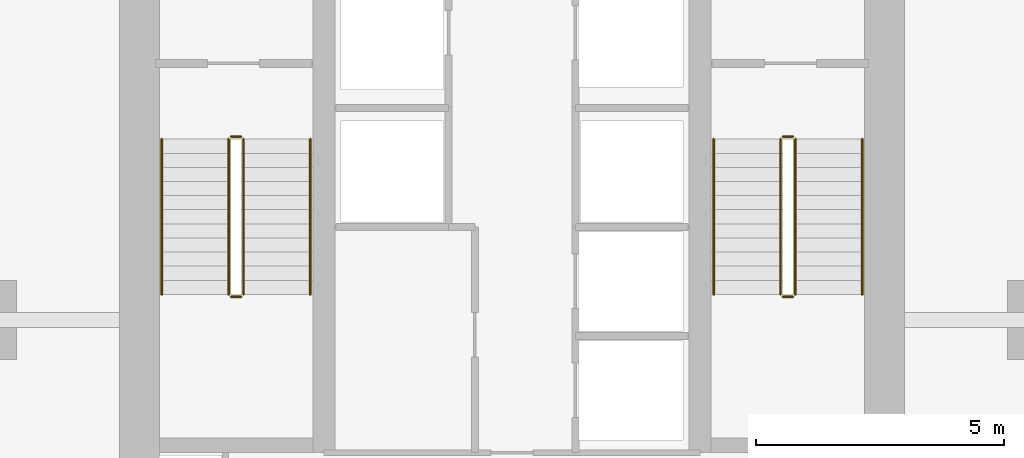
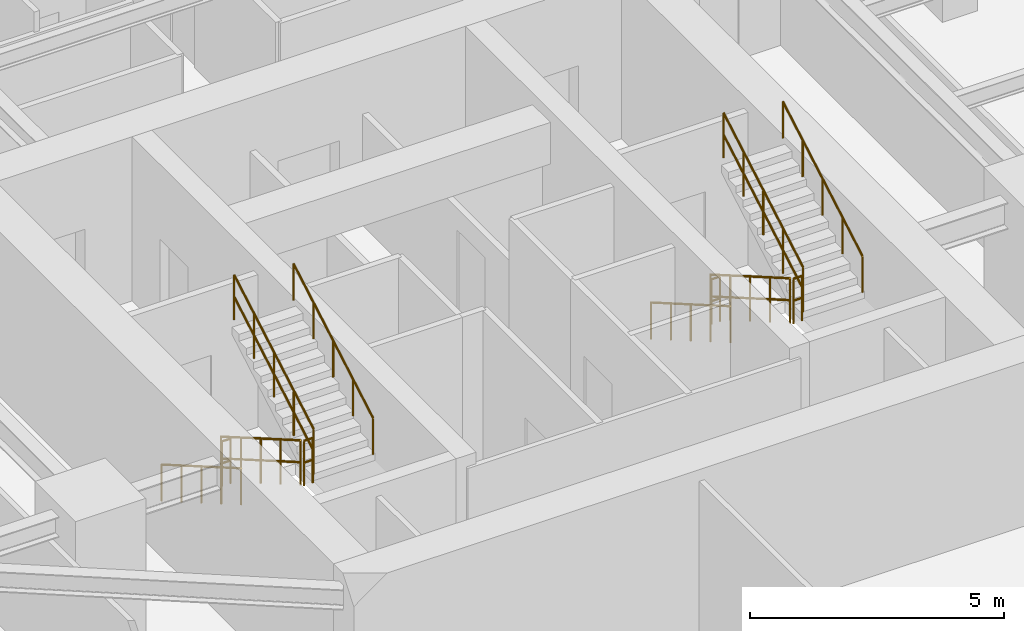
# One storey, part 24 of 25: 12 railings.
"""IFC4 building model written with IfcOpenShell, lengths in metres."""

from ifc_helpers import new_model, si_unit, direction, frame, origin, origin_2d, place, context, subcontext, project, spatial, circle, extrude, material, layer, layer_set, type_object, element, save


model = new_model("IFC4")

# Units and contexts
model_context = context("Model", 3, precision=1e-05, world=origin(), true_north=direction((0.0, 1.0)))
body_context = subcontext(model_context, "Body", "Model", "MODEL_VIEW")
ifc_project = project(units=[si_unit("LENGTHUNIT", "METRE"), si_unit("AREAUNIT", "SQUARE_METRE"), si_unit("VOLUMEUNIT", "CUBIC_METRE"), si_unit("PLANEANGLEUNIT", "RADIAN"), si_unit("MASSUNIT", "GRAM", prefix="KILO")], contexts=[model_context])

# Site, building, storey
site_placement = place(None, origin())
site = spatial("IfcSite", under=ifc_project, at=site_placement, CompositionType="ELEMENT")
building_placement = place(site_placement, origin())
building = spatial("IfcBuilding", under=site, at=building_placement, Name="Krantzveldt Concourse Tower", CompositionType="ELEMENT")
storey_placement = place(building_placement, frame((0.0, 0.0, 215.199951171875)))
storey = spatial("IfcBuildingStorey", under=building, at=storey_placement, Name="L52", CompositionType="ELEMENT", Elevation=215.199951171875)

# Railings
ifc_material = material(Name="Stainless steel 316L", Category="steel")
ifc_layer_1 = layer(ifc_material, 0.06005859375, Name="Stainless steel 316L", Category="steel")
ifc_layer_set_1 = layer_set([ifc_layer_1], Name="Stainless steel 316L (RL-GUARD-1120)")
railing_type_1 = type_object("IfcRailingType", Name="RL-GUARD-1120", PredefinedType="GUARDRAIL", material=ifc_layer_set_1)
railing_1_placement = place(storey_placement, frame((30.280029296875, 19.550048828125, 0.16455078125)))
element("IfcRailing", 1, at=railing_1_placement, inside=storey, type_object=railing_type_1, Name="L52 ST-1 stair guard 1", PredefinedType="GUARDRAIL", context=body_context, shape_type="SweptSolid", body=[
    extrude(circle(Radius=0.02392578125, at=origin_2d()), frame((0.0, 0.0, 1.076171875), z_axis=(0.0, -0.865959834175, 0.500113552702), x_axis=(1.0, 0.0, 0.0)), (0.0, 0.0, 1.0), 3.620361328125),
    extrude(circle(Radius=0.02392578125, at=origin_2d()), frame((0.0, 0.0, 0.550048828125), z_axis=(0.0, -0.865959834175, 0.500113552702), x_axis=(1.0, 0.0, 0.0)), (0.0, 0.0, 1.0), 3.620361328125),
    extrude(circle(Radius=0.02099609375, at=origin_2d()), origin(), (0.0, 0.0, 1.0), 1.052001953125),
    extrude(circle(Radius=0.02099609375, at=origin_2d()), frame((0.0, -0.78369140625, 0.45263671875)), (0.0, 0.0, 1.0), 1.052001953125),
    extrude(circle(Radius=0.02099609375, at=origin_2d()), frame((0.0, -1.5673828125, 0.9052734375)), (0.0, 0.0, 1.0), 1.052001953125),
    extrude(circle(Radius=0.02099609375, at=origin_2d()), frame((0.0, -2.351318359375, 1.35791015625)), (0.0, 0.0, 1.0), 1.052001953125),
    extrude(circle(Radius=0.02099609375, at=origin_2d()), frame((0.0, -3.135009765625, 1.810546875)), (0.0, 0.0, 1.0), 1.052001953125),
])
railing_2_placement = place(storey_placement, frame((30.330078125, 16.364990234375, 1.97509765625)))
element("IfcRailing", 2, at=railing_2_placement, inside=storey, type_object=railing_type_1, Name="L52 ST-1 stair guard 2", PredefinedType="GUARDRAIL", context=body_context, shape_type="SweptSolid", body=[
    extrude(circle(Radius=0.02392578125, at=origin_2d()), frame((0.0, 0.0, 1.076171875), z_axis=(1.0, 0.0, 0.0), x_axis=(0.0, 1.0, 0.0)), (0.0, 0.0, 1.0), 0.199951171875),
    extrude(circle(Radius=0.02392578125, at=origin_2d()), frame((0.0, 0.0, 0.550048828125), z_axis=(1.0, 0.0, 0.0), x_axis=(0.0, 1.0, 0.0)), (0.0, 0.0, 1.0), 0.199951171875),
    extrude(circle(Radius=0.02099609375, at=origin_2d()), origin(), (0.0, 0.0, 1.0), 1.052001953125),
    extrude(circle(Radius=0.02099609375, at=origin_2d()), frame((0.199951171875, 0.0, 0.0)), (0.0, 0.0, 1.0), 1.052001953125),
])
railing_3_placement = place(storey_placement, frame((30.580078125, 16.4150390625, 2.1396484375)))
element("IfcRailing", 3, at=railing_3_placement, inside=storey, type_object=railing_type_1, Name="L52 ST-1 stair guard 3", PredefinedType="GUARDRAIL", context=body_context, shape_type="SweptSolid", body=[
    extrude(circle(Radius=0.02392578125, at=origin_2d()), frame((0.0, 0.0, 1.076171875), z_axis=(0.0, 0.865989039225, 0.500062979975), x_axis=(-1.0, 0.0, 0.0)), (0.0, 0.0, 1.0), 3.6201171875),
    extrude(circle(Radius=0.02392578125, at=origin_2d()), frame((0.0, 0.0, 0.550048828125), z_axis=(0.0, 0.865989039225, 0.500062979975), x_axis=(-1.0, 0.0, 0.0)), (0.0, 0.0, 1.0), 3.6201171875),
    extrude(circle(Radius=0.02099609375, at=origin_2d()), origin(), (0.0, 0.0, 1.0), 1.052001953125),
    extrude(circle(Radius=0.02099609375, at=origin_2d()), frame((0.0, 0.78369140625, 0.45263671875)), (0.0, 0.0, 1.0), 1.052001953125),
    extrude(circle(Radius=0.02099609375, at=origin_2d()), frame((0.0, 1.5673828125, 0.9052734375)), (0.0, 0.0, 1.0), 1.052001953125),
    extrude(circle(Radius=0.02099609375, at=origin_2d()), frame((0.0, 2.351318359375, 1.357666015625)), (0.0, 0.0, 1.0), 1.052001953125),
    extrude(circle(Radius=0.02099609375, at=origin_2d()), frame((0.0, 3.135009765625, 1.810302734375)), (0.0, 0.0, 1.0), 1.052001953125),
])
railing_4_placement = place(storey_placement, frame((30.330078125, 19.60009765625, 0.0)))
element("IfcRailing", 4, at=railing_4_placement, inside=storey, type_object=railing_type_1, Name="L52 ST-1 stair guard 4", PredefinedType="GUARDRAIL", context=body_context, shape_type="SweptSolid", body=[
    extrude(circle(Radius=0.02392578125, at=origin_2d()), frame((0.0, 0.0, 1.076171875), z_axis=(1.0, 0.0, 0.0), x_axis=(0.0, 1.0, 0.0)), (0.0, 0.0, 1.0), 0.199951171875),
    extrude(circle(Radius=0.02392578125, at=origin_2d()), frame((0.0, 0.0, 0.550048828125), z_axis=(1.0, 0.0, 0.0), x_axis=(0.0, 1.0, 0.0)), (0.0, 0.0, 1.0), 0.199951171875),
    extrude(circle(Radius=0.02099609375, at=origin_2d()), origin(), (0.0, 0.0, 1.0), 1.052001953125),
    extrude(circle(Radius=0.02099609375, at=origin_2d()), frame((0.199951171875, 0.0, 0.0)), (0.0, 0.0, 1.0), 1.052001953125),
])
railing_5_placement = place(storey_placement, frame((41.419921875, 19.550048828125, 0.16455078125)))
element("IfcRailing", 5, at=railing_5_placement, inside=storey, type_object=railing_type_1, Name="L52 ST-2 stair guard 1", PredefinedType="GUARDRAIL", context=body_context, shape_type="SweptSolid", body=[
    extrude(circle(Radius=0.02392578125, at=origin_2d()), frame((0.0, 0.0, 1.076171875), z_axis=(0.0, -0.865959834175, 0.500113552702), x_axis=(1.0, 0.0, 0.0)), (0.0, 0.0, 1.0), 3.620361328125),
    extrude(circle(Radius=0.02392578125, at=origin_2d()), frame((0.0, 0.0, 0.550048828125), z_axis=(0.0, -0.865959834175, 0.500113552702), x_axis=(1.0, 0.0, 0.0)), (0.0, 0.0, 1.0), 3.620361328125),
    extrude(circle(Radius=0.02099609375, at=origin_2d()), origin(), (0.0, 0.0, 1.0), 1.052001953125),
    extrude(circle(Radius=0.02099609375, at=origin_2d()), frame((0.0, -0.78369140625, 0.45263671875)), (0.0, 0.0, 1.0), 1.052001953125),
    extrude(circle(Radius=0.02099609375, at=origin_2d()), frame((0.0, -1.5673828125, 0.9052734375)), (0.0, 0.0, 1.0), 1.052001953125),
    extrude(circle(Radius=0.02099609375, at=origin_2d()), frame((0.0, -2.351318359375, 1.35791015625)), (0.0, 0.0, 1.0), 1.052001953125),
    extrude(circle(Radius=0.02099609375, at=origin_2d()), frame((0.0, -3.135009765625, 1.810546875)), (0.0, 0.0, 1.0), 1.052001953125),
])
railing_6_placement = place(storey_placement, frame((41.469970703125, 16.364990234375, 1.97509765625)))
element("IfcRailing", 6, at=railing_6_placement, inside=storey, type_object=railing_type_1, Name="L52 ST-2 stair guard 2", PredefinedType="GUARDRAIL", context=body_context, shape_type="SweptSolid", body=[
    extrude(circle(Radius=0.02392578125, at=origin_2d()), frame((0.0, 0.0, 1.076171875), z_axis=(1.0, 0.0, 0.0), x_axis=(0.0, 1.0, 0.0)), (0.0, 0.0, 1.0), 0.199951171875),
    extrude(circle(Radius=0.02392578125, at=origin_2d()), frame((0.0, 0.0, 0.550048828125), z_axis=(1.0, 0.0, 0.0), x_axis=(0.0, 1.0, 0.0)), (0.0, 0.0, 1.0), 0.199951171875),
    extrude(circle(Radius=0.02099609375, at=origin_2d()), origin(), (0.0, 0.0, 1.0), 1.052001953125),
    extrude(circle(Radius=0.02099609375, at=origin_2d()), frame((0.199951171875, 0.0, 0.0)), (0.0, 0.0, 1.0), 1.052001953125),
])
railing_7_placement = place(storey_placement, frame((41.719970703125, 16.4150390625, 2.1396484375)))
element("IfcRailing", 7, at=railing_7_placement, inside=storey, type_object=railing_type_1, Name="L52 ST-2 stair guard 3", PredefinedType="GUARDRAIL", context=body_context, shape_type="SweptSolid", body=[
    extrude(circle(Radius=0.02392578125, at=origin_2d()), frame((0.0, 0.0, 1.076171875), z_axis=(0.0, 0.865989039225, 0.500062979975), x_axis=(-1.0, 0.0, 0.0)), (0.0, 0.0, 1.0), 3.6201171875),
    extrude(circle(Radius=0.02392578125, at=origin_2d()), frame((0.0, 0.0, 0.550048828125), z_axis=(0.0, 0.865989039225, 0.500062979975), x_axis=(-1.0, 0.0, 0.0)), (0.0, 0.0, 1.0), 3.6201171875),
    extrude(circle(Radius=0.02099609375, at=origin_2d()), origin(), (0.0, 0.0, 1.0), 1.052001953125),
    extrude(circle(Radius=0.02099609375, at=origin_2d()), frame((0.0, 0.78369140625, 0.45263671875)), (0.0, 0.0, 1.0), 1.052001953125),
    extrude(circle(Radius=0.02099609375, at=origin_2d()), frame((0.0, 1.5673828125, 0.9052734375)), (0.0, 0.0, 1.0), 1.052001953125),
    extrude(circle(Radius=0.02099609375, at=origin_2d()), frame((0.0, 2.351318359375, 1.357666015625)), (0.0, 0.0, 1.0), 1.052001953125),
    extrude(circle(Radius=0.02099609375, at=origin_2d()), frame((0.0, 3.135009765625, 1.810302734375)), (0.0, 0.0, 1.0), 1.052001953125),
])
railing_8_placement = place(storey_placement, frame((41.469970703125, 19.60009765625, 0.0)))
element("IfcRailing", 8, at=railing_8_placement, inside=storey, type_object=railing_type_1, Name="L52 ST-2 stair guard 4", PredefinedType="GUARDRAIL", context=body_context, shape_type="SweptSolid", body=[
    extrude(circle(Radius=0.02392578125, at=origin_2d()), frame((0.0, 0.0, 1.076171875), z_axis=(1.0, 0.0, 0.0), x_axis=(0.0, 1.0, 0.0)), (0.0, 0.0, 1.0), 0.199951171875),
    extrude(circle(Radius=0.02392578125, at=origin_2d()), frame((0.0, 0.0, 0.550048828125), z_axis=(1.0, 0.0, 0.0), x_axis=(0.0, 1.0, 0.0)), (0.0, 0.0, 1.0), 0.199951171875),
    extrude(circle(Radius=0.02099609375, at=origin_2d()), origin(), (0.0, 0.0, 1.0), 1.052001953125),
    extrude(circle(Radius=0.02099609375, at=origin_2d()), frame((0.199951171875, 0.0, 0.0)), (0.0, 0.0, 1.0), 1.052001953125),
])
ifc_layer_2 = layer(ifc_material, 0.050048828125, Name="Stainless steel 316L", Category="steel")
ifc_layer_set_2 = layer_set([ifc_layer_2], Name="Stainless steel 316L (RL-HANDRAIL-920)")
railing_type_2 = type_object("IfcRailingType", Name="RL-HANDRAIL-920", PredefinedType="HANDRAIL", material=ifc_layer_set_2)
railing_9_placement = place(storey_placement, frame((28.929931640625, 19.550048828125, 0.16455078125)))
element("IfcRailing", 9, at=railing_9_placement, inside=storey, type_object=railing_type_2, Name="L52 ST-1 stair handrail 1", PredefinedType="HANDRAIL", context=body_context, shape_type="SweptSolid", body=[
    extrude(circle(Radius=0.02392578125, at=origin_2d()), frame((0.0, 0.0, 0.8759765625), z_axis=(0.0, -0.865959834175, 0.500113552702), x_axis=(1.0, 0.0, 0.0)), (0.0, 0.0, 1.0), 3.620361328125),
    extrude(circle(Radius=0.02099609375, at=origin_2d()), origin(), (0.0, 0.0, 1.0), 0.851806640625),
    extrude(circle(Radius=0.02099609375, at=origin_2d()), frame((0.0, -0.78369140625, 0.45263671875)), (0.0, 0.0, 1.0), 0.851806640625),
    extrude(circle(Radius=0.02099609375, at=origin_2d()), frame((0.0, -1.5673828125, 0.9052734375)), (0.0, 0.0, 1.0), 0.851806640625),
    extrude(circle(Radius=0.02099609375, at=origin_2d()), frame((0.0, -2.351318359375, 1.35791015625)), (0.0, 0.0, 1.0), 0.851806640625),
    extrude(circle(Radius=0.02099609375, at=origin_2d()), frame((0.0, -3.135009765625, 1.810546875)), (0.0, 0.0, 1.0), 0.851806640625),
])
railing_10_placement = place(storey_placement, frame((31.929931640625, 16.4150390625, 2.1396484375)))
element("IfcRailing", 10, at=railing_10_placement, inside=storey, type_object=railing_type_2, Name="L52 ST-1 stair handrail 2", PredefinedType="HANDRAIL", context=body_context, shape_type="SweptSolid", body=[
    extrude(circle(Radius=0.02392578125, at=origin_2d()), frame((0.0, 0.0, 0.8759765625), z_axis=(0.0, 0.865989039225, 0.500062979975), x_axis=(-1.0, 0.0, 0.0)), (0.0, 0.0, 1.0), 3.6201171875),
    extrude(circle(Radius=0.02099609375, at=origin_2d()), origin(), (0.0, 0.0, 1.0), 0.851806640625),
    extrude(circle(Radius=0.02099609375, at=origin_2d()), frame((0.0, 0.78369140625, 0.45263671875)), (0.0, 0.0, 1.0), 0.851806640625),
    extrude(circle(Radius=0.02099609375, at=origin_2d()), frame((0.0, 1.5673828125, 0.9052734375)), (0.0, 0.0, 1.0), 0.851806640625),
    extrude(circle(Radius=0.02099609375, at=origin_2d()), frame((0.0, 2.351318359375, 1.357666015625)), (0.0, 0.0, 1.0), 0.851806640625),
    extrude(circle(Radius=0.02099609375, at=origin_2d()), frame((0.0, 3.135009765625, 1.810302734375)), (0.0, 0.0, 1.0), 0.851806640625),
])
railing_11_placement = place(storey_placement, frame((40.070068359375, 19.550048828125, 0.16455078125)))
element("IfcRailing", 11, at=railing_11_placement, inside=storey, type_object=railing_type_2, Name="L52 ST-2 stair handrail 1", PredefinedType="HANDRAIL", context=body_context, shape_type="SweptSolid", body=[
    extrude(circle(Radius=0.02392578125, at=origin_2d()), frame((0.0, 0.0, 0.8759765625), z_axis=(0.0, -0.865959834175, 0.500113552702), x_axis=(1.0, 0.0, 0.0)), (0.0, 0.0, 1.0), 3.620361328125),
    extrude(circle(Radius=0.02099609375, at=origin_2d()), origin(), (0.0, 0.0, 1.0), 0.851806640625),
    extrude(circle(Radius=0.02099609375, at=origin_2d()), frame((0.0, -0.78369140625, 0.45263671875)), (0.0, 0.0, 1.0), 0.851806640625),
    extrude(circle(Radius=0.02099609375, at=origin_2d()), frame((0.0, -1.5673828125, 0.9052734375)), (0.0, 0.0, 1.0), 0.851806640625),
    extrude(circle(Radius=0.02099609375, at=origin_2d()), frame((0.0, -2.351318359375, 1.35791015625)), (0.0, 0.0, 1.0), 0.851806640625),
    extrude(circle(Radius=0.02099609375, at=origin_2d()), frame((0.0, -3.135009765625, 1.810546875)), (0.0, 0.0, 1.0), 0.851806640625),
])
railing_12_placement = place(storey_placement, frame((43.070068359375, 16.4150390625, 2.1396484375)))
element("IfcRailing", 12, at=railing_12_placement, inside=storey, type_object=railing_type_2, Name="L52 ST-2 stair handrail 2", PredefinedType="HANDRAIL", context=body_context, shape_type="SweptSolid", body=[
    extrude(circle(Radius=0.02392578125, at=origin_2d()), frame((0.0, 0.0, 0.8759765625), z_axis=(0.0, 0.865989039225, 0.500062979975), x_axis=(-1.0, 0.0, 0.0)), (0.0, 0.0, 1.0), 3.6201171875),
    extrude(circle(Radius=0.02099609375, at=origin_2d()), origin(), (0.0, 0.0, 1.0), 0.851806640625),
    extrude(circle(Radius=0.02099609375, at=origin_2d()), frame((0.0, 0.78369140625, 0.45263671875)), (0.0, 0.0, 1.0), 0.851806640625),
    extrude(circle(Radius=0.02099609375, at=origin_2d()), frame((0.0, 1.5673828125, 0.9052734375)), (0.0, 0.0, 1.0), 0.851806640625),
    extrude(circle(Radius=0.02099609375, at=origin_2d()), frame((0.0, 2.351318359375, 1.357666015625)), (0.0, 0.0, 1.0), 0.851806640625),
    extrude(circle(Radius=0.02099609375, at=origin_2d()), frame((0.0, 3.135009765625, 1.810302734375)), (0.0, 0.0, 1.0), 0.851806640625),
])

save(model, "model.ifc")
